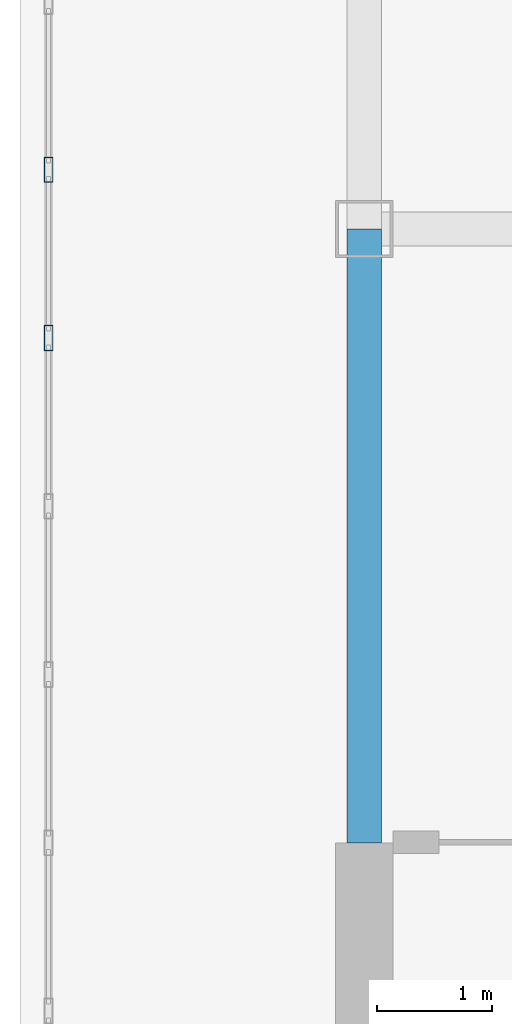
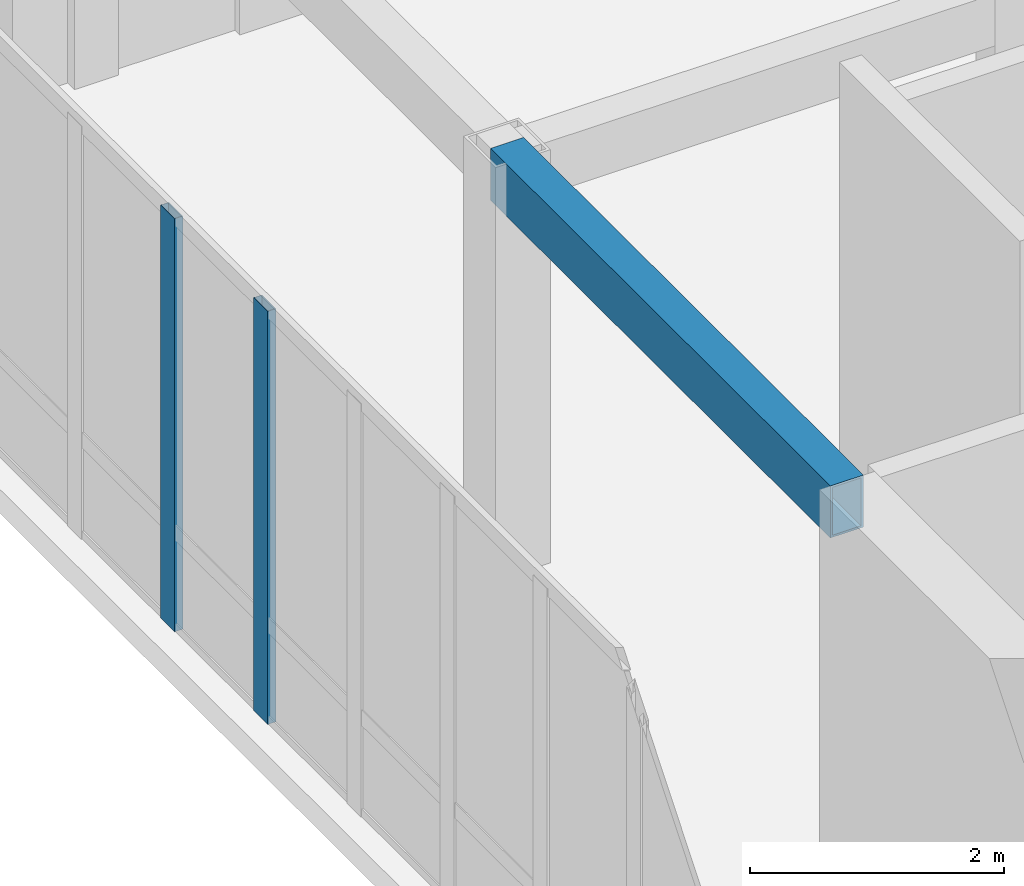
# One storey, part 4 of 13: 2 members, 1 beam, 1 element without a shape of its own.
"""IFC4 building model written with IfcOpenShell, lengths in metres."""

from ifc_helpers import new_model, si_unit, direction, frame, origin, origin_2d, place, context, subcontext, project, spatial, hollow_rectangle, extrude, source, transform, mapped, material, layer, layer_set, material_profile, profile_set, type_object, element, aggregate, save


model = new_model("IFC4")

# Units and contexts
model_context = context("Model", 3, precision=1e-05, world=origin(), true_north=direction((0.0, 1.0)))
body_context = subcontext(model_context, "Body", "Model", "MODEL_VIEW")
ifc_project = project(units=[si_unit("LENGTHUNIT", "METRE"), si_unit("AREAUNIT", "SQUARE_METRE"), si_unit("VOLUMEUNIT", "CUBIC_METRE"), si_unit("PLANEANGLEUNIT", "RADIAN"), si_unit("MASSUNIT", "GRAM", prefix="KILO")], contexts=[model_context])

# Site, building, storey
site_placement = place(None, origin())
site = spatial("IfcSite", under=ifc_project, at=site_placement, CompositionType="ELEMENT")
building_placement = place(site_placement, origin())
building = spatial("IfcBuilding", under=site, at=building_placement, Name="Kharzan Plaza Tower", CompositionType="ELEMENT")
storey_placement = place(building_placement, frame((0.0, 0.0, 285.60009765625)))
storey = spatial("IfcBuildingStorey", under=building, at=storey_placement, Name="L77-CROWN", CompositionType="ELEMENT", Elevation=285.60009765625)

# Beam
ifc_material_1 = material(Name="Steel S355", Category="steel")
ifc_material_profile_1 = material_profile(ifc_material_1, hollow_rectangle(XDim=0.300048828125, YDim=0.5, WallThickness=0.02001953125, at=origin_2d()), Name="RHS500x300x20")
ifc_profile_set_1 = profile_set([ifc_material_profile_1], Name="Steel S355")
beam_type = type_object("IfcBeamType", Name="BM-CRN500", PredefinedType="BEAM", material=ifc_profile_set_1)
shared_shape_1 = source(origin(), body_context, "Body", "SweptSolid", [
    extrude(hollow_rectangle(XDim=0.300048828125, YDim=0.5, WallThickness=0.02001953125, at=origin_2d()), origin(), (0.0, 0.0, 1.0), 5.35009765625),
])
beam_placement = place(storey_placement, frame((4.5, 12.64990234375, 3.719970703125), z_axis=(0.0, 1.0, 0.0), x_axis=(-1.0, 0.0, 0.0)))
element("IfcBeam", 1, at=beam_placement, inside=storey, type_object=beam_type, Name="L77-CROWN CROWN FRAME Lantern Ring Beam CRB-W1", PredefinedType="BEAM", context=body_context, shape_type="MappedRepresentation", body=[
    mapped(shared_shape_1, transform((0.0, 0.0, 0.0), x_axis=(1.0, 0.0, 0.0), y_axis=(0.0, 1.0, 0.0), z_axis=(0.0, 0.0, 1.0))),
])

# Curtain wall, members
ifc_material_2 = material(Name="Unitised Bronze-Anodized Aluminium and Low-E Glass", Category="aluminium")
ifc_layer = layer(ifc_material_2, 0.199951171875)
ifc_layer_set = layer_set([ifc_layer], Name="Unitised Bronze-Anodized Aluminium and Low-E Glass")
curtain_wall_type = type_object("IfcCurtainWallType", Name="CW-LANTERN-6", PredefinedType="NOTDEFINED", material=ifc_layer_set)
curtain_wall_placement = place(storey_placement, origin())
curtain_wall = element("IfcCurtainWall", 2, at=curtain_wall_placement, inside=storey, type_object=curtain_wall_type, Name="L77-CROWN Lantern Crown Illuminated Curtain Wall 4", PredefinedType="NOTDEFINED")
ifc_material_3 = material(Name="Anodized Bronze Aluminium", Category="aluminium")
ifc_material_profile_2 = material_profile(ifc_material_3, hollow_rectangle(XDim=0.074951171875, YDim=0.219970703125, WallThickness=0.00390625, at=origin_2d()), Name="ALU-M220x75x4")
ifc_profile_set_2 = profile_set([ifc_material_profile_2], Name="Anodized Bronze Aluminium")
member_type = type_object("IfcMemberType", Name="MEM-CW-MUL200", PredefinedType="MULLION", material=ifc_profile_set_2)
shared_shape_2 = source(origin(), body_context, "Body", "SweptSolid", [
    extrude(hollow_rectangle(XDim=0.074951171875, YDim=0.219970703125, WallThickness=0.00390625, at=origin_2d()), origin(), (0.0, 0.0, 1.0), 3.969970703125),
])
member_1_placement = place(storey_placement, frame((1.75, 18.5166015625, 0.0), z_axis=(0.0, 0.0, 1.0), x_axis=(1.0, 0.0, 0.0)))
member_1 = element("IfcMember", 3, at=member_1_placement, type_object=member_type, Name="L77-CROWN Curtain-Wall Mullion 11", PredefinedType="MULLION", context=body_context, shape_type="MappedRepresentation", body=[
    mapped(shared_shape_2, transform((0.0, 0.0, 0.0), x_axis=(1.0, 0.0, 0.0), y_axis=(0.0, 1.0, 0.0), z_axis=(0.0, 0.0, 1.0))),
])
member_2_placement = place(storey_placement, frame((1.75, 17.050048828125, 0.0), z_axis=(0.0, 0.0, 1.0), x_axis=(1.0, 0.0, 0.0)))
member_2 = element("IfcMember", 4, at=member_2_placement, type_object=member_type, Name="L77-CROWN Curtain-Wall Mullion 12", PredefinedType="MULLION", context=body_context, shape_type="MappedRepresentation", body=[
    mapped(shared_shape_2, transform((0.0, 0.0, 0.0), x_axis=(1.0, 0.0, 0.0), y_axis=(0.0, 1.0, 0.0), z_axis=(0.0, 0.0, 1.0))),
])
aggregate(curtain_wall, [member_1, member_2])

save(model, "model.ifc")
